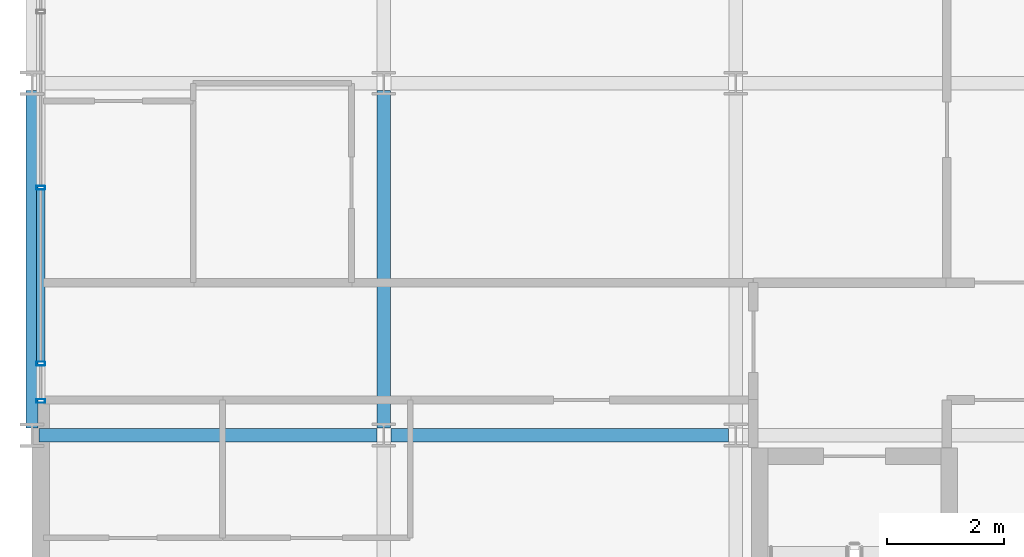
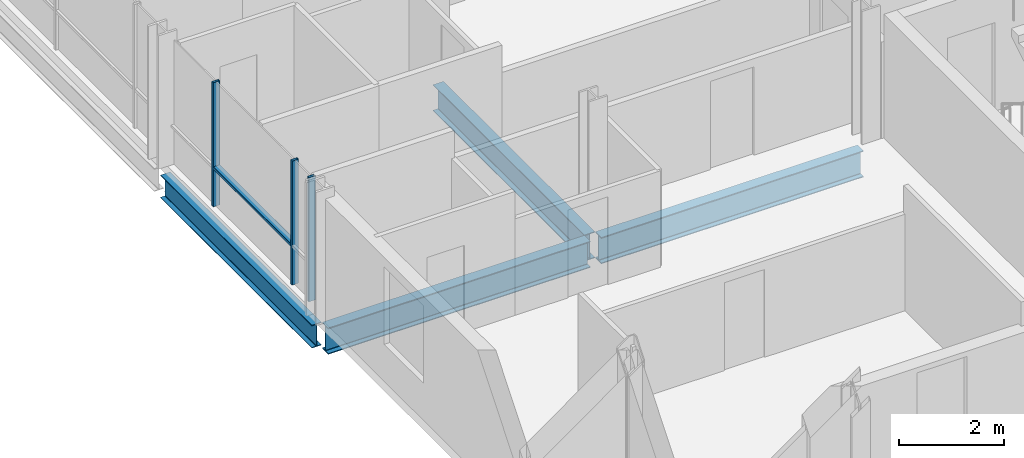
# One storey, part 4 of 41: 4 beams, 4 members, 1 element without a shape of its own.
"""IFC4 building model written with IfcOpenShell, lengths in metres."""

from ifc_helpers import new_model, si_unit, direction, frame, origin, origin_2d, place, context, subcontext, project, spatial, hollow_rectangle, i_section, extrude, material, layer, layer_set, material_profile, profile_set, type_object, element, aggregate, save


model = new_model("IFC4")

# Units and contexts
model_context = context("Model", 3, precision=1e-05, world=origin(), true_north=direction((0.0, 1.0)))
body_context = subcontext(model_context, "Body", "Model", "MODEL_VIEW")
ifc_project = project(units=[si_unit("LENGTHUNIT", "METRE"), si_unit("AREAUNIT", "SQUARE_METRE"), si_unit("VOLUMEUNIT", "CUBIC_METRE"), si_unit("PLANEANGLEUNIT", "RADIAN"), si_unit("MASSUNIT", "GRAM", prefix="KILO")], contexts=[model_context])

# Site, building, storey
site_placement = place(None, origin())
site = spatial("IfcSite", under=ifc_project, at=site_placement, CompositionType="ELEMENT")
building_placement = place(site_placement, origin())
building = spatial("IfcBuilding", under=site, at=building_placement, Name="Brevholm Reach", CompositionType="ELEMENT")
storey_placement = place(building_placement, frame((0.0, 0.0, 151.10009765625)))
storey = spatial("IfcBuildingStorey", under=building, at=storey_placement, Name="L45", CompositionType="ELEMENT", Elevation=151.10009765625)

# Beams
ifc_material_1 = material(Name="Structural Steel S355J2", Category="steel")
ifc_material_profile_1 = material_profile(ifc_material_1, i_section(OverallWidth=0.209228515625, OverallDepth=0.533203125, WebThickness=0.010009765625, FlangeThickness=0.015625, FilletRadius=0.0126953125, at=origin_2d()), Name="UKB 533x210x92")
ifc_profile_set_1 = profile_set([ifc_material_profile_1], Name="Structural Steel S355J2")
beam_type_1 = type_object("IfcBeamType", Name="BM-SP533", PredefinedType="SPANDREL", material=ifc_profile_set_1)
beam_placement = place(storey_placement, frame((0.0, 10.1201171875, -0.486572265625), z_axis=(0.0, 1.0, 0.0), x_axis=(-1.0, 0.0, 0.0)))
element("IfcBeam", 1, at=beam_placement, inside=storey, type_object=beam_type_1, Name="L45 SP-02 Framing Beam", PredefinedType="SPANDREL", context=body_context, shape_type="SweptSolid", body=[
    extrude(i_section(OverallWidth=0.209228515625, OverallDepth=0.533203125, WebThickness=0.010009765625, FlangeThickness=0.015625, FilletRadius=0.0126953125, at=origin_2d()), origin(), (0.0, 0.0, 1.0), 5.759765625),
])
ifc_material_2 = material(Name="Structural Steel S355J2", Category="steel")
ifc_material_profile_2 = material_profile(ifc_material_2, i_section(OverallWidth=0.22900390625, OverallDepth=0.6123046875, WebThickness=0.011962890625, FlangeThickness=0.01953125, FilletRadius=0.0126953125, at=origin_2d()), Name="UKB 610x229x125")
ifc_profile_set_2 = profile_set([ifc_material_profile_2], Name="Structural Steel S355J2")
beam_type_2 = type_object("IfcBeamType", Name="BM-SP610", PredefinedType="SPANDREL", material=ifc_profile_set_2)
for number, where, z_axis, x_axis, name in (
    (2, (0.1201171875, 10.0, -0.526123046875), (1.0, 0.0, 0.0), (0.0, 1.0, 0.0), "L45 SP-01 Framing Beam"),
    (3, (6.1201171875, 10.0, -0.526123046875), (1.0, 0.0, 0.0), (0.0, 1.0, 0.0), "L45 SP-01 Framing Beam"),
    (4, (6.0, 10.1201171875, -0.526123046875), (0.0, 1.0, 0.0), (-1.0, 0.0, 0.0), "L45 SP-01 Framing Beam"),
):
    element("IfcBeam", number, at=place(storey_placement, frame(where, z_axis=z_axis, x_axis=x_axis)), inside=storey, type_object=beam_type_2, Name=name, PredefinedType="SPANDREL", context=body_context, shape_type="SweptSolid", body=[
        extrude(i_section(OverallWidth=0.22900390625, OverallDepth=0.6123046875, WebThickness=0.011962890625, FlangeThickness=0.01953125, FilletRadius=0.0126953125, at=origin_2d()), origin(), (0.0, 0.0, 1.0), 5.759765625),
    ])

# Curtain wall, members
ifc_material_3 = material(Name="Dark Anodised Aluminium 6063-T6 and Solar-Control Glass", Category="aluminium")
ifc_layer = layer(ifc_material_3, 0.14990234375)
ifc_layer_set = layer_set([ifc_layer], Name="Dark Anodised Aluminium 6063-T6 and Solar-Control Glass")
curtain_wall_type = type_object("IfcCurtainWallType", Name="CW-01", PredefinedType="NOTDEFINED", material=ifc_layer_set)
curtain_wall_placement = place(storey_placement, origin())
curtain_wall = element("IfcCurtainWall", 5, at=curtain_wall_placement, inside=storey, type_object=curtain_wall_type, Name="L45 Curtain Wall CW-01", PredefinedType="NOTDEFINED")
ifc_material_4 = material(Name="Dark Anodised Aluminium 6063-T6", Category="aluminium")
ifc_material_profile_3 = material_profile(ifc_material_4, hollow_rectangle(XDim=0.06494140625, YDim=0.14990234375, WallThickness=0.0048828125, InnerFilletRadius=0.0048828125, OuterFilletRadius=0.010009765625, at=origin_2d()), Name="RHS 150x65x5")
ifc_profile_set_3 = profile_set([ifc_material_profile_3], Name="Dark Anodised Aluminium 6063-T6")
member_type_1 = type_object("IfcMemberType", Name="CWM-150", PredefinedType="MULLION", material=ifc_profile_set_3)
member_1_placement = place(storey_placement, frame((0.14990234375, 14.219970703125, 0.0), z_axis=(0.0, 0.0, 1.0), x_axis=(0.0, -1.0, 0.0)))
member_1 = element("IfcMember", 6, at=member_1_placement, type_object=member_type_1, Name="CM-150 Mullion 4", PredefinedType="MULLION", context=body_context, shape_type="SweptSolid", body=[
    extrude(hollow_rectangle(XDim=0.06494140625, YDim=0.14990234375, WallThickness=0.0048828125, InnerFilletRadius=0.0048828125, OuterFilletRadius=0.010009765625, at=origin_2d()), origin(), (0.0, 0.0, 1.0), 2.8798828125),
])
member_2_placement = place(storey_placement, frame((0.14990234375, 11.219970703125, 0.0), z_axis=(0.0, 0.0, 1.0), x_axis=(0.0, -1.0, 0.0)))
member_2 = element("IfcMember", 7, at=member_2_placement, type_object=member_type_1, Name="CM-150 Mullion 5", PredefinedType="MULLION", context=body_context, shape_type="SweptSolid", body=[
    extrude(hollow_rectangle(XDim=0.06494140625, YDim=0.14990234375, WallThickness=0.0048828125, InnerFilletRadius=0.0048828125, OuterFilletRadius=0.010009765625, at=origin_2d()), origin(), (0.0, 0.0, 1.0), 2.8798828125),
])
member_3_placement = place(storey_placement, frame((0.14990234375, 10.58251953125, 0.0), z_axis=(0.0, 0.0, 1.0), x_axis=(0.0, -1.0, 0.0)))
member_3 = element("IfcMember", 8, at=member_3_placement, type_object=member_type_1, Name="CM-150 Mullion 6", PredefinedType="MULLION", context=body_context, shape_type="SweptSolid", body=[
    extrude(hollow_rectangle(XDim=0.06494140625, YDim=0.14990234375, WallThickness=0.0048828125, InnerFilletRadius=0.0048828125, OuterFilletRadius=0.010009765625, at=origin_2d()), origin(), (0.0, 0.0, 1.0), 2.8798828125),
])
ifc_material_5 = material(Name="Dark Anodised Aluminium 6063-T6", Category="aluminium")
ifc_material_profile_4 = material_profile(ifc_material_5, hollow_rectangle(XDim=0.06494140625, YDim=0.14990234375, WallThickness=0.0048828125, InnerFilletRadius=0.0048828125, OuterFilletRadius=0.010009765625, at=origin_2d()), Name="RHS 150x65x5")
ifc_profile_set_4 = profile_set([ifc_material_profile_4], Name="Dark Anodised Aluminium 6063-T6")
member_type_2 = type_object("IfcMemberType", Name="CWT-150", PredefinedType="NOTDEFINED", material=ifc_profile_set_4)
member_4_placement = place(storey_placement, frame((0.14990234375, 14.1875, 0.89990234375), z_axis=(0.0, -1.0, 0.0), x_axis=(0.0, 0.0, 1.0)))
member_4 = element("IfcMember", 9, at=member_4_placement, type_object=member_type_2, Name="CT-150 Transom 4.1", ObjectType="TRANSOM", PredefinedType="USERDEFINED", context=body_context, shape_type="SweptSolid", body=[
    extrude(hollow_rectangle(XDim=0.06494140625, YDim=0.14990234375, WallThickness=0.0048828125, InnerFilletRadius=0.0048828125, OuterFilletRadius=0.010009765625, at=origin_2d()), origin(), (0.0, 0.0, 1.0), 2.93505859375),
])
aggregate(curtain_wall, [member_1, member_2, member_3, member_4])

save(model, "model.ifc")
